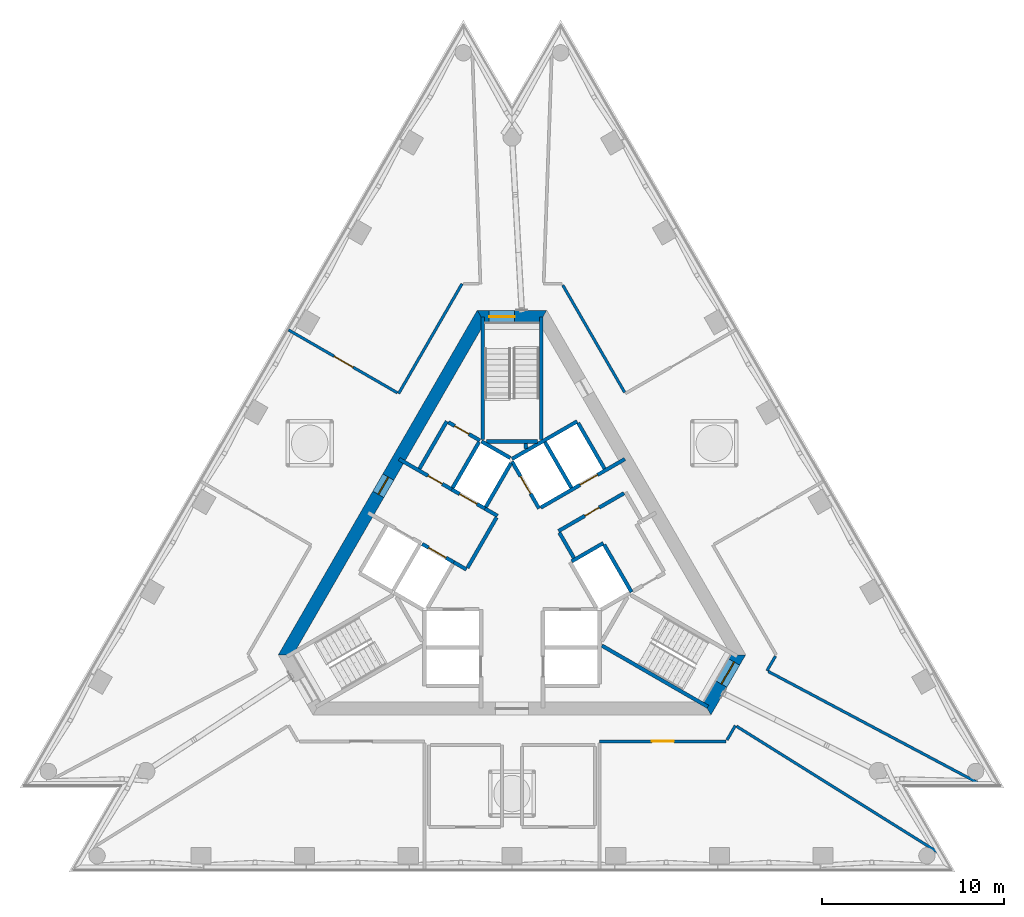
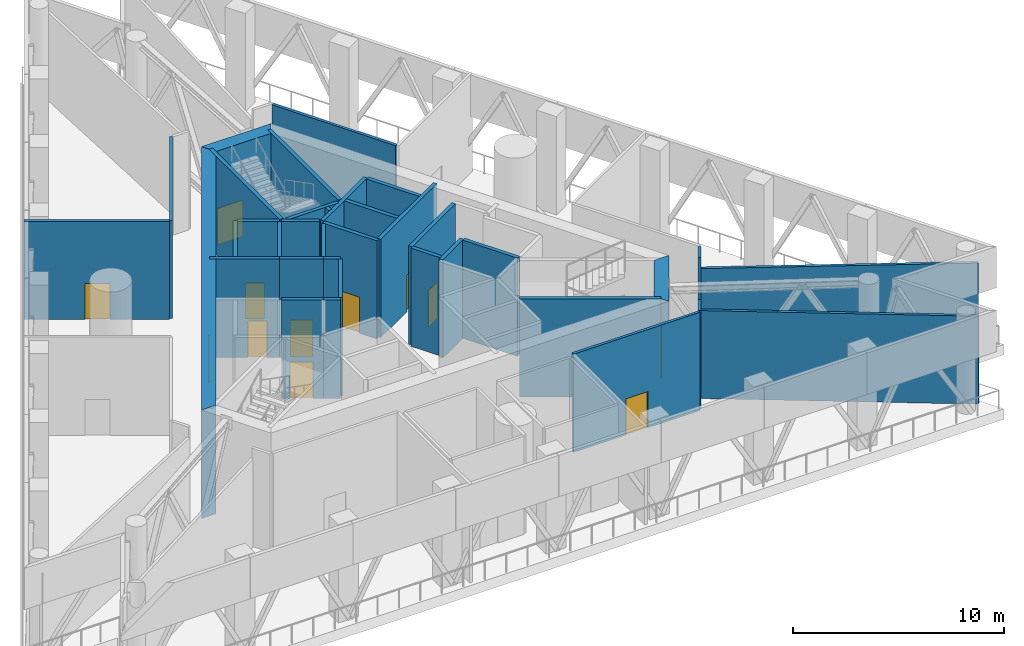
# One storey, part 9 of 15: 36 walls, 12 doors, 12 openings.
"""IFC4 building model written with IfcOpenShell, lengths in metres."""

from ifc_helpers import new_model, si_unit, direction, frame, frame_2d, origin, place, context, subcontext, project, spatial, polyline, rectangle, outline, extrude, material, layer, layer_set, type_object, element, fill, save


model = new_model("IFC4")

# Units and contexts
model_context = context("Model", 3, precision=1e-05, world=origin(), true_north=direction((0.0, 1.0)))
body_context = subcontext(model_context, "Body", "Model", "MODEL_VIEW")
ifc_project = project(units=[si_unit("LENGTHUNIT", "METRE"), si_unit("AREAUNIT", "SQUARE_METRE"), si_unit("VOLUMEUNIT", "CUBIC_METRE"), si_unit("PLANEANGLEUNIT", "RADIAN"), si_unit("MASSUNIT", "GRAM", prefix="KILO")], contexts=[model_context])

# Site, building, storey
site_placement = place(None, origin())
site = spatial("IfcSite", under=ifc_project, at=site_placement, CompositionType="ELEMENT")
building_placement = place(site_placement, origin())
building = spatial("IfcBuilding", under=site, at=building_placement, Name="Triada Interchange Tower", CompositionType="ELEMENT")
storey_placement = place(building_placement, frame((0.0, 0.0, 255.800048828125)))
storey = spatial("IfcBuildingStorey", under=building, at=storey_placement, Name="L60", CompositionType="ELEMENT", Elevation=255.800048828125)

# Wall
ifc_material_1 = material(Name="Concrete C30/37", Category="concrete")
ifc_layer_1 = layer(ifc_material_1, 0.199951171875)
ifc_layer_set_1 = layer_set([ifc_layer_1], Name="CORE WALL 200 EI 120")
wall_type_1 = type_object("IfcWallType", Name="CORE WALL 200 EI 120", PredefinedType="SOLIDWALL", material=ifc_layer_set_1)
wall_1_placement = place(storey_placement, frame((-0.001953125, 5.541015625, 0.0), z_axis=(0.0, 0.0, 1.0), x_axis=(0.86600155993, 0.500041296494, 0.0)))
element("IfcWall", 1, at=wall_1_placement, inside=storey, type_object=wall_type_1, Name="Wall L60 43", PredefinedType="SOLIDWALL", context=body_context, shape_type="SweptSolid", body=[
    extrude(rectangle(XDim=4.131591796875, YDim=0.199951171875, at=frame_2d((2.06591796875, 0.0))), origin(), (0.0, 0.0, 1.0), 5.699951171875),
])

# Wall, opening, door
wall_2_placement = place(storey_placement, frame((0.0, 5.39990234375, 0.0), z_axis=(0.0, 0.0, 1.0), x_axis=(0.500103862429, -0.865965430478, 0.0)))
wall_2 = element("IfcWall", 2, at=wall_2_placement, inside=storey, type_object=wall_type_1, Name="Wall L60 44", PredefinedType="SOLIDWALL", context=body_context, shape_type="SweptSolid", body=[
    extrude(rectangle(XDim=2.973388671875, YDim=0.199951171875, at=frame_2d((1.48681640625, 0.0))), origin(), (0.0, 0.0, 1.0), 5.699951171875),
])
opening_1_placement = place(wall_2_placement, frame((0.93701171875, 0.0, 0.0)))
opening_1 = element("IfcOpeningElement", 3, at=opening_1_placement, cuts=wall_2, Name="Opening LD-HR5", PredefinedType="OPENING", context=body_context, shape_type="SweptSolid", body=[
    extrude(rectangle(XDim=1.10009765625, YDim=2.10009765625, at=frame_2d((0.550048828125, 1.050048828125))), frame((0.0, 0.10986328125, 0.0), z_axis=(0.0, -1.0, 0.0), x_axis=(1.0, 0.0, 0.0)), (0.0, 0.0, 1.0), 0.219970703125),
])
ifc_material_2 = material(Name="Steel S235 door leaf", Category="steel")
door_type_1 = type_object("IfcDoorType", Name="LIFT LANDING DOOR 1100 EI 120", OperationType="SLIDING_TO_LEFT", PredefinedType="DOOR", material=ifc_material_2)
door_1_placement = place(opening_1_placement, origin())
door_1 = element("IfcDoor", 4, at=door_1_placement, inside=storey, type_object=door_type_1, Name="HR5 landing door L60", OperationType="SLIDING_TO_LEFT", OverallHeight=2.10009765625, OverallWidth=1.10009765625, PredefinedType="DOOR", context=body_context, shape_type="SweptSolid", body=[
    extrude(rectangle(XDim=1.10009765625, YDim=2.10009765625, at=frame_2d((0.550048828125, 1.050048828125))), frame((0.0, 0.02490234375, 0.0), z_axis=(0.0, -1.0, 0.0), x_axis=(1.0, 0.0, 0.0)), (0.0, 0.0, 1.0), 0.050048828125),
])
fill(opening_1, door_1)

wall_3_placement = place(storey_placement, frame((1.577880859375, 2.8740234375, 0.0), z_axis=(0.0, 0.0, 1.0), x_axis=(0.866045911672, 0.499964477614, 0.0)))
wall_3 = element("IfcWall", 5, at=wall_3_placement, inside=storey, type_object=wall_type_1, Name="Wall L60 46", PredefinedType="SOLIDWALL", context=body_context, shape_type="SweptSolid", body=[
    extrude(rectangle(XDim=5.32666015625, YDim=0.199951171875, at=frame_2d((2.663330078125, 0.0))), origin(), (0.0, 0.0, 1.0), 5.699951171875),
])
opening_2_placement = place(wall_3_placement, frame((2.49609375, 0.0, 0.0)))
opening_2 = element("IfcOpeningElement", 6, at=opening_2_placement, cuts=wall_3, Name="Opening LD-HR6", PredefinedType="OPENING", context=body_context, shape_type="SweptSolid", body=[
    extrude(rectangle(XDim=1.10009765625, YDim=2.10009765625, at=frame_2d((0.550048828125, 1.050048828125))), frame((0.0, 0.10986328125, 0.0), z_axis=(0.0, -1.0, 0.0), x_axis=(1.0, 0.0, 0.0)), (0.0, 0.0, 1.0), 0.219970703125),
])
door_2_placement = place(opening_2_placement, origin())
door_2 = element("IfcDoor", 7, at=door_2_placement, inside=storey, type_object=door_type_1, Name="HR6 landing door L60", OperationType="SLIDING_TO_LEFT", OverallHeight=2.10009765625, OverallWidth=1.10009765625, PredefinedType="DOOR", context=body_context, shape_type="SweptSolid", body=[
    extrude(rectangle(XDim=1.10009765625, YDim=2.10009765625, at=frame_2d((0.550048828125, 1.050048828125))), frame((0.0, 0.02490234375, 0.0), z_axis=(0.0, -1.0, 0.0), x_axis=(1.0, 0.0, 0.0)), (0.0, 0.0, 1.0), 0.050048828125),
])
fill(opening_2, door_2)

# Walls
wall_4_placement = place(storey_placement, frame((3.278076171875, -0.071044921875, 0.0), z_axis=(0.0, 0.0, 1.0), x_axis=(0.865855657918, 0.500293893279, 0.0)))
element("IfcWall", 8, at=wall_4_placement, inside=storey, type_object=wall_type_1, Name="Wall L60 49", PredefinedType="SOLIDWALL", context=body_context, shape_type="SweptSolid", body=[
    extrude(rectangle(XDim=1.996826171875, YDim=0.199951171875, at=frame_2d((0.99853515625, 0.0))), origin(), (0.0, 0.0, 1.0), 5.699951171875),
])
for number, where, z_axis, x_axis, name in (
    (9, (3.6259765625, 7.52001953125, 0.0), (0.0, 0.0, 1.0), (0.500060147554, -0.865990674793, 0.0), "Wall L60 51"),
    (10, (1.806884765625, 6.469970703125, 0.0), (0.0, 0.0, 1.0), (0.50012328804, -0.865954211699, 0.0), "Wall L60 52"),
):
    element("IfcWall", number, at=place(storey_placement, frame(where, z_axis=z_axis, x_axis=x_axis)), inside=storey, type_object=wall_type_1, Name=name, PredefinedType="SOLIDWALL", context=body_context, shape_type="SweptSolid", body=[
        extrude(rectangle(XDim=2.899658203125, YDim=0.199951171875, at=frame_2d((1.44970703125, 0.0))), origin(), (0.0, 0.0, 1.0), 5.699951171875),
    ])
wall_5_placement = place(storey_placement, frame((5.056884765625, 0.841064453125, 0.0), z_axis=(0.0, 0.0, 1.0), x_axis=(0.499990139034, -0.866031096941, 0.0)))
element("IfcWall", 11, at=wall_5_placement, inside=storey, type_object=wall_type_1, Name="Wall L60 53", PredefinedType="SOLIDWALL", context=body_context, shape_type="SweptSolid", body=[
    extrude(rectangle(XDim=3.0, YDim=0.199951171875, at=frame_2d((1.5, 0.0))), origin(), (0.0, 0.0, 1.0), 5.699951171875),
])

# Wall, opening, door
wall_6_placement = place(storey_placement, frame((2.548095703125, 1.5869140625, 0.0), z_axis=(0.0, 0.0, 1.0), x_axis=(0.866004344652, 0.500036473714, 0.0)))
wall_6 = element("IfcWall", 12, at=wall_6_placement, inside=storey, type_object=wall_type_1, Name="Wall L60 56", PredefinedType="SOLIDWALL", context=body_context, shape_type="SweptSolid", body=[
    extrude(rectangle(XDim=4.150146484375, YDim=0.199951171875, at=frame_2d((2.0751953125, 0.0))), origin(), (0.0, 0.0, 1.0), 5.699951171875),
])
opening_3_placement = place(wall_6_placement, frame((1.675048828125, 0.0, 0.0)))
opening_3 = element("IfcOpeningElement", 13, at=opening_3_placement, cuts=wall_6, Name="Opening D60-27", PredefinedType="OPENING", context=body_context, shape_type="SweptSolid", body=[
    extrude(rectangle(XDim=0.89990234375, YDim=2.10009765625, at=frame_2d((0.449951171875, 1.050048828125))), frame((0.0, 0.10986328125, 0.0), z_axis=(0.0, -1.0, 0.0), x_axis=(1.0, 0.0, 0.0)), (0.0, 0.0, 1.0), 0.219970703125),
])
door_type_2 = type_object("IfcDoorType", Name="SERVICE DOOR 900 EI2 45-C5S200", OperationType="NOTDEFINED", PredefinedType="DOOR", material=ifc_material_2)
door_3_placement = place(opening_3_placement, origin())
door_3 = element("IfcDoor", 14, at=door_3_placement, inside=storey, type_object=door_type_2, Name="Door D60-27 L60", OperationType="SINGLE_SWING_RIGHT", OverallHeight=2.10009765625, OverallWidth=0.89990234375, PredefinedType="DOOR", context=body_context, shape_type="SweptSolid", body=[
    extrude(rectangle(XDim=0.89990234375, YDim=2.10009765625, at=frame_2d((0.449951171875, 1.050048828125))), frame((0.0, 0.02490234375, 0.0), z_axis=(0.0, -1.0, 0.0), x_axis=(1.0, 0.0, 0.0)), (0.0, 0.0, 1.0), 0.050048828125),
])
fill(opening_3, door_3)

# Walls
wall_7_placement = place(storey_placement, frame((2.597900390625, 1.5, 0.0), z_axis=(0.0, 0.0, 1.0), x_axis=(0.499929347863, -0.866066190972, 0.0)))
element("IfcWall", 15, at=wall_7_placement, inside=storey, type_object=wall_type_1, Name="Wall L60 57", PredefinedType="SOLIDWALL", context=body_context, shape_type="SweptSolid", body=[
    extrude(rectangle(XDim=1.600341796875, YDim=0.199951171875, at=frame_2d((0.80029296875, 0.0))), origin(), (0.0, 0.0, 1.0), 5.699951171875),
])
ifc_layer_2 = layer(ifc_material_1, 0.199951171875)
ifc_layer_set_2 = layer_set([ifc_layer_2], Name="CORE WALL 200 EI 180")
wall_type_2 = type_object("IfcWallType", Name="CORE WALL 200 EI 180", PredefinedType="SOLIDWALL", material=ifc_layer_set_2)
wall_8_placement = place(storey_placement, frame((-3.18798828125, -0.1220703125, 0.0), z_axis=(0.0, 0.0, 1.0), x_axis=(0.865705793592, -0.50055317294, 0.0)))
element("IfcWall", 16, at=wall_8_placement, inside=storey, type_object=wall_type_2, Name="Wall L60 59", PredefinedType="SOLIDWALL", context=body_context, shape_type="SweptSolid", body=[
    extrude(rectangle(XDim=0.796875, YDim=0.199951171875, at=frame_2d((0.3984375, 0.0))), origin(), (0.0, 0.0, 1.0), 5.699951171875),
])

# Wall, opening, door
wall_9_placement = place(storey_placement, frame((-6.19091796875, 5.537109375, 0.0), z_axis=(0.0, 0.0, 1.0), x_axis=(0.866052607023, -0.499952879648, 0.0)))
wall_9 = element("IfcWall", 17, at=wall_9_placement, inside=storey, type_object=wall_type_2, Name="Wall L60 60", PredefinedType="SOLIDWALL", context=body_context, shape_type="SweptSolid", body=[
    extrude(rectangle(XDim=3.332275390625, YDim=0.199951171875, at=frame_2d((1.666015625, 0.0))), origin(), (0.0, 0.0, 1.0), 5.699951171875),
])
opening_4_placement = place(wall_9_placement, frame((1.830078125, 0.0, 0.0)))
opening_4 = element("IfcOpeningElement", 18, at=opening_4_placement, cuts=wall_9, Name="Opening D60-10", PredefinedType="OPENING", context=body_context, shape_type="SweptSolid", body=[
    extrude(rectangle(XDim=0.89990234375, YDim=2.10009765625, at=frame_2d((0.449951171875, 1.050048828125))), frame((0.0, 0.10986328125, 0.0), z_axis=(0.0, -1.0, 0.0), x_axis=(1.0, 0.0, 0.0)), (0.0, 0.0, 1.0), 0.219970703125),
])
door_type_3 = type_object("IfcDoorType", Name="SERVICE DOOR 900 EI2 90-C5S200", OperationType="NOTDEFINED", PredefinedType="DOOR", material=ifc_material_2)
door_4_placement = place(opening_4_placement, origin())
door_4 = element("IfcDoor", 19, at=door_4_placement, inside=storey, type_object=door_type_3, Name="Door D60-10 L60", OperationType="SINGLE_SWING_LEFT", OverallHeight=2.10009765625, OverallWidth=0.89990234375, PredefinedType="DOOR", context=body_context, shape_type="SweptSolid", body=[
    extrude(rectangle(XDim=0.89990234375, YDim=2.10009765625, at=frame_2d((0.449951171875, 1.050048828125))), frame((0.0, 0.02490234375, 0.0), z_axis=(0.0, -1.0, 0.0), x_axis=(1.0, 0.0, 0.0)), (0.0, 0.0, 1.0), 0.050048828125),
])
fill(opening_4, door_4)

# Walls
wall_10_placement = place(storey_placement, frame((-1.488037109375, 2.822021484375, 0.0), z_axis=(0.0, 0.0, 1.0), x_axis=(0.866236612152, -0.499633997809, 0.0)))
element("IfcWall", 20, at=wall_10_placement, inside=storey, type_object=wall_type_2, Name="Wall L60 61", PredefinedType="SOLIDWALL", context=body_context, shape_type="SweptSolid", body=[
    extrude(rectangle(XDim=0.79638671875, YDim=0.199951171875, at=frame_2d((0.398193359375, 0.0))), origin(), (0.0, 0.0, 1.0), 5.699951171875),
])
wall_11_placement = place(storey_placement, frame((-5.075927734375, 5.009033203125, 0.0), z_axis=(0.0, 0.0, 1.0), x_axis=(0.50002537861, 0.866010750942, 0.0)))
element("IfcWall", 21, at=wall_11_placement, inside=storey, type_object=wall_type_2, Name="Wall L60 62", PredefinedType="SOLIDWALL", context=body_context, shape_type="SweptSolid", body=[
    extrude(rectangle(XDim=2.999755859375, YDim=0.199951171875, at=frame_2d((1.5, 0.0))), origin(), (0.0, 0.0, 1.0), 5.699951171875),
])

# Wall, opening, door
wall_12_placement = place(storey_placement, frame((-3.489013671875, 7.556884765625, 0.0), z_axis=(0.0, 0.0, 1.0), x_axis=(0.866010750942, -0.50002537861, 0.0)))
wall_12 = element("IfcWall", 22, at=wall_12_placement, inside=storey, type_object=wall_type_2, Name="Wall L60 63", PredefinedType="SOLIDWALL", context=body_context, shape_type="SweptSolid", body=[
    extrude(rectangle(XDim=2.0, YDim=0.199951171875, at=frame_2d((1.0, 0.0))), origin(), (0.0, 0.0, 1.0), 5.699951171875),
])
opening_5_placement = place(wall_12_placement, frame((0.40087890625, 0.0, 0.0)))
opening_5 = element("IfcOpeningElement", 23, at=opening_5_placement, cuts=wall_12, Name="Opening D60-25", PredefinedType="OPENING", context=body_context, shape_type="SweptSolid", body=[
    extrude(rectangle(XDim=0.89990234375, YDim=2.10009765625, at=frame_2d((0.449951171875, 1.050048828125))), frame((0.0, 0.10986328125, 0.0), z_axis=(0.0, -1.0, 0.0), x_axis=(1.0, 0.0, 0.0)), (0.0, 0.0, 1.0), 0.219970703125),
])
door_5_placement = place(opening_5_placement, origin())
door_5 = element("IfcDoor", 24, at=door_5_placement, inside=storey, type_object=door_type_2, Name="Door D60-25 L60", OperationType="SINGLE_SWING_LEFT", OverallHeight=2.10009765625, OverallWidth=0.89990234375, PredefinedType="DOOR", context=body_context, shape_type="SweptSolid", body=[
    extrude(rectangle(XDim=0.89990234375, YDim=2.10009765625, at=frame_2d((0.449951171875, 1.050048828125))), frame((0.0, 0.02490234375, 0.0), z_axis=(0.0, -1.0, 0.0), x_axis=(1.0, 0.0, 0.0)), (0.0, 0.0, 1.0), 0.050048828125),
])
fill(opening_5, door_5)

# Wall
wall_13_placement = place(storey_placement, frame((-2.444091796875, -0.43310546875, 0.0), z_axis=(0.0, 0.0, 1.0), x_axis=(0.500035624827, 0.866004834804, 0.0)))
element("IfcWall", 25, at=wall_13_placement, inside=storey, type_object=wall_type_2, Name="Wall L60 64", PredefinedType="SOLIDWALL", context=body_context, shape_type="SweptSolid", body=[
    extrude(rectangle(XDim=3.194091796875, YDim=0.199951171875, at=frame_2d((1.59716796875, 0.0))), origin(), (0.0, 0.0, 1.0), 5.699951171875),
])

# Wall, opening, door
wall_14_placement = place(storey_placement, frame((-4.922119140625, 0.87890625, 0.0), z_axis=(0.0, 0.0, 1.0), x_axis=(0.866073918653, -0.499915960366, 0.0)))
wall_14 = element("IfcWall", 26, at=wall_14_placement, inside=storey, type_object=wall_type_2, Name="Shaft wall FF1 L60 67", PredefinedType="SOLIDWALL", context=body_context, shape_type="SweptSolid", body=[
    extrude(rectangle(XDim=2.002197265625, YDim=0.199951171875, at=frame_2d((1.0009765625, 0.0))), origin(), (0.0, 0.0, 1.0), 5.699951171875),
])
opening_6_placement = place(wall_14_placement, frame((0.402099609375, 0.0, 0.0)))
opening_6 = element("IfcOpeningElement", 27, at=opening_6_placement, cuts=wall_14, Name="Opening LD-FF1", PredefinedType="OPENING", context=body_context, shape_type="SweptSolid", body=[
    extrude(rectangle(XDim=1.10009765625, YDim=2.10009765625, at=frame_2d((0.550048828125, 1.050048828125))), frame((0.0, 0.10986328125, 0.0), z_axis=(0.0, -1.0, 0.0), x_axis=(1.0, 0.0, 0.0)), (0.0, 0.0, 1.0), 0.219970703125),
])
door_6_placement = place(opening_6_placement, origin())
door_6 = element("IfcDoor", 28, at=door_6_placement, inside=storey, type_object=door_type_1, Name="FF1 landing door L60", OperationType="SLIDING_TO_LEFT", OverallHeight=2.10009765625, OverallWidth=1.10009765625, PredefinedType="DOOR", context=body_context, shape_type="SweptSolid", body=[
    extrude(rectangle(XDim=1.10009765625, YDim=2.10009765625, at=frame_2d((0.550048828125, 1.050048828125))), frame((0.0, 0.02490234375, 0.0), z_axis=(0.0, -1.0, 0.0), x_axis=(1.0, 0.0, 0.0)), (0.0, 0.0, 1.0), 0.050048828125),
])
fill(opening_6, door_6)

wall_15_placement = place(storey_placement, frame((-3.30908203125, 3.873046875, 0.0), z_axis=(0.0, 0.0, 1.0), x_axis=(0.866098583652, -0.499873227325, 0.0)))
wall_15 = element("IfcWall", 29, at=wall_15_placement, inside=storey, type_object=wall_type_2, Name="Shaft wall FF2 L60 69", PredefinedType="SOLIDWALL", context=body_context, shape_type="SweptSolid", body=[
    extrude(rectangle(XDim=2.1025390625, YDim=0.199951171875, at=frame_2d((1.05126953125, 0.0))), origin(), (0.0, 0.0, 1.0), 5.699951171875),
])
opening_7_placement = place(wall_15_placement, frame((0.501953125, 0.0, 0.0)))
opening_7 = element("IfcOpeningElement", 30, at=opening_7_placement, cuts=wall_15, Name="Opening LD-FF2", PredefinedType="OPENING", context=body_context, shape_type="SweptSolid", body=[
    extrude(rectangle(XDim=1.10009765625, YDim=2.10009765625, at=frame_2d((0.550048828125, 1.050048828125))), frame((0.0, 0.10986328125, 0.0), z_axis=(0.0, -1.0, 0.0), x_axis=(1.0, 0.0, 0.0)), (0.0, 0.0, 1.0), 0.219970703125),
])
door_7_placement = place(opening_7_placement, origin())
door_7 = element("IfcDoor", 31, at=door_7_placement, inside=storey, type_object=door_type_1, Name="FF2 landing door L60", OperationType="SLIDING_TO_LEFT", OverallHeight=2.10009765625, OverallWidth=1.10009765625, PredefinedType="DOOR", context=body_context, shape_type="SweptSolid", body=[
    extrude(rectangle(XDim=1.10009765625, YDim=2.10009765625, at=frame_2d((0.550048828125, 1.050048828125))), frame((0.0, 0.02490234375, 0.0), z_axis=(0.0, -1.0, 0.0), x_axis=(1.0, 0.0, 0.0)), (0.0, 0.0, 1.0), 0.050048828125),
])
fill(opening_7, door_7)

# Walls
wall_16_placement = place(storey_placement, frame((-3.257080078125, 3.958984375, 0.0), z_axis=(0.0, 0.0, 1.0), x_axis=(0.50012328804, 0.865954211699, 0.0)))
element("IfcWall", 32, at=wall_16_placement, inside=storey, type_object=wall_type_2, Name="Shaft wall FF2 L60 70", PredefinedType="SOLIDWALL", context=body_context, shape_type="SweptSolid", body=[
    extrude(rectangle(XDim=2.899658203125, YDim=0.199951171875, at=frame_2d((1.44970703125, 0.0))), origin(), (0.0, 0.0, 1.0), 5.699951171875),
])
wall_17_placement = place(storey_placement, frame((-1.669921875, 6.507080078125, 0.0), z_axis=(0.0, 0.0, 1.0), x_axis=(0.865941441609, -0.500145398563, 0.0)))
element("IfcWall", 33, at=wall_17_placement, inside=storey, type_object=wall_type_2, Name="Shaft wall FF2 L60 71", PredefinedType="SOLIDWALL", context=body_context, shape_type="SweptSolid", body=[
    extrude(rectangle(XDim=1.8154296875, YDim=0.199951171875, at=frame_2d((0.90771484375, 0.0))), origin(), (0.0, 0.0, 1.0), 5.699951171875),
])
wall_18_placement = place(storey_placement, frame((-1.43798828125, 2.908935546875, 0.0), z_axis=(0.0, 0.0, 1.0), x_axis=(0.499829630636, 0.866123744241, 0.0)))
element("IfcWall", 34, at=wall_18_placement, inside=storey, type_object=wall_type_2, Name="Shaft wall FF2 L60 72", PredefinedType="SOLIDWALL", context=body_context, shape_type="SweptSolid", body=[
    extrude(rectangle(XDim=2.7607421875, YDim=0.199951171875, at=frame_2d((1.38037109375, 0.0))), origin(), (0.0, 0.0, 1.0), 5.699951171875),
])
ifc_layer_3 = layer(ifc_material_1, 0.199951171875)
ifc_layer_set_3 = layer_set([ifc_layer_3], Name="CORE WALL 200 EI 90")
wall_type_3 = type_object("IfcWallType", Name="CORE WALL 200 EI 90", PredefinedType="SOLIDWALL", material=ifc_layer_set_3)
wall_19_placement = place(storey_placement, frame((0.75, 6.39990234375, 0.0), z_axis=(0.0, 0.0, 1.0), x_axis=(0.080860177601, -0.996725454515, 0.0)))
element("IfcWall", 35, at=wall_19_placement, inside=storey, type_object=wall_type_3, Name="Wall L60 73", PredefinedType="SOLIDWALL", context=body_context, shape_type="SweptSolid", body=[
    extrude(rectangle(XDim=0.2958984375, YDim=0.199951171875, at=frame_2d((0.14794921875, 0.0))), origin(), (0.0, 0.0, 1.0), 5.699951171875),
])
ifc_layer_4 = layer(ifc_material_1, 0.199951171875)
ifc_layer_set_4 = layer_set([ifc_layer_4], Name="CORE WALL 200 REI 240")
wall_type_4 = type_object("IfcWallType", Name="CORE WALL 200 REI 240", PredefinedType="SOLIDWALL", material=ifc_layer_set_4)
wall_20_placement = place(storey_placement, frame((1.60009765625, 6.614990234375, 0.0), z_axis=(0.0, 0.0, 1.0), x_axis=(0.0, 1.0, 0.0)))
element("IfcWall", 36, at=wall_20_placement, inside=storey, type_object=wall_type_4, Name="Wall L60 80", PredefinedType="SOLIDWALL", context=body_context, shape_type="SweptSolid", body=[
    extrude(rectangle(XDim=6.715087890625, YDim=0.199951171875, at=frame_2d((3.357421875, 0.0))), origin(), (0.0, 0.0, 1.0), 5.699951171875),
])
wall_21_placement = place(storey_placement, frame((-1.39990234375, 6.5, 0.0), z_axis=(0.0, 0.0, 1.0), x_axis=(1.0, 0.0, 0.0)))
element("IfcWall", 37, at=wall_21_placement, inside=storey, type_object=wall_type_4, Name="Wall L60 81", PredefinedType="SOLIDWALL", context=body_context, shape_type="SweptSolid", body=[
    extrude(rectangle(XDim=2.7998046875, YDim=0.199951171875, at=frame_2d((1.39990234375, 0.0))), origin(), (0.0, 0.0, 1.0), 5.699951171875),
])
wall_22_placement = place(storey_placement, frame((-1.60009765625, 6.614990234375, 0.0), z_axis=(0.0, 0.0, 1.0), x_axis=(0.0, 1.0, 0.0)))
element("IfcWall", 38, at=wall_22_placement, inside=storey, type_object=wall_type_4, Name="Wall L60 82", PredefinedType="SOLIDWALL", context=body_context, shape_type="SweptSolid", body=[
    extrude(rectangle(XDim=6.715087890625, YDim=0.199951171875, at=frame_2d((3.357421875, 0.0))), origin(), (0.0, 0.0, 1.0), 5.699951171875),
])
wall_23_placement = place(storey_placement, frame((4.928955078125, -4.693115234375, 0.0), z_axis=(0.0, 0.0, 1.0), x_axis=(0.865983344943, -0.500072840975, 0.0)))
element("IfcWall", 39, at=wall_23_placement, inside=storey, type_object=wall_type_4, Name="Wall L60 83", PredefinedType="SOLIDWALL", context=body_context, shape_type="SweptSolid", body=[
    extrude(rectangle(XDim=6.71484375, YDim=0.199951171875, at=frame_2d((3.357421875, 0.0))), origin(), (0.0, 0.0, 1.0), 5.699951171875),
])

# Wall, opening, door
ifc_material_3 = material(Name="Concrete C50/60", Category="concrete")
ifc_layer_5 = layer(ifc_material_3, 0.699951171875)
ifc_layer_set_5 = layer_set([ifc_layer_5], Name="Core wall C 700")
wall_type_5 = type_object("IfcWallType", Name="Core wall C 700", PredefinedType="SHEAR", material=ifc_layer_set_5)
wall_24_placement = place(storey_placement, frame((1.702880859375, 13.35009765625, -0.60009765625), z_axis=(0.0, 0.0, 1.0), x_axis=(-1.0, 0.0, 0.0)))
wall_24 = element("IfcWall", 40, at=wall_24_placement, inside=storey, type_object=wall_type_5, Name="Core wall WC07 L60", PredefinedType="SHEAR", context=body_context, shape_type="SweptSolid", body=[
    extrude(outline(polyline([(-0.201904296875, -0.35009765625), (1.703125, -0.35009765625), (3.60791015625, -0.35009765625), (3.2041015625, 0.35009765625), (1.703125, 0.35009765625), (0.201904296875, 0.35009765625), (-0.201904296875, -0.35009765625)])), origin(), (0.0, 0.0, 1.0), 6.300048828125),
])
opening_8_placement = place(wall_24_placement, frame((1.552978515625, 0.0, 0.60009765625)))
opening_8 = element("IfcOpeningElement", 41, at=opening_8_placement, cuts=wall_24, Name="Opening D60-20", PredefinedType="OPENING", context=body_context, shape_type="SweptSolid", body=[
    extrude(rectangle(XDim=1.39990234375, YDim=2.10009765625, at=frame_2d((0.699951171875, 1.050048828125))), frame((0.0, 0.360107421875, 0.0), z_axis=(0.0, -1.0, 0.0), x_axis=(1.0, 0.0, 0.0)), (0.0, 0.0, 1.0), 0.72021484375),
])
door_type_4 = type_object("IfcDoorType", Name="STAIR DOOR 1400 EI2 90-C5S200", OperationType="DOUBLE_DOOR_SINGLE_SWING", PredefinedType="DOOR", material=ifc_material_2)
door_8_placement = place(opening_8_placement, origin())
door_8 = element("IfcDoor", 42, at=door_8_placement, inside=storey, type_object=door_type_4, Name="Door D60-20 L60", OperationType="DOUBLE_DOOR_SINGLE_SWING", OverallHeight=2.10009765625, OverallWidth=1.39990234375, PredefinedType="DOOR", context=body_context, shape_type="SweptSolid", body=[
    extrude(rectangle(XDim=1.39990234375, YDim=2.10009765625, at=frame_2d((0.699951171875, 1.050048828125))), frame((0.0, 0.02490234375, 0.0), z_axis=(0.0, -1.0, 0.0), x_axis=(1.0, 0.0, 0.0)), (0.0, 0.0, 1.0), 0.050048828125),
])
fill(opening_8, door_8)

wall_25_placement = place(storey_placement, frame((-1.702880859375, 13.35009765625, -0.60009765625), z_axis=(0.0, 0.0, 1.0), x_axis=(-0.500011533395, -0.866018744874, 0.0)))
wall_25 = element("IfcWall", 43, at=wall_25_placement, inside=storey, type_object=wall_type_5, Name="Core wall WC08 L60", PredefinedType="SHEAR", context=body_context, shape_type="SweptSolid", body=[
    extrude(outline(polyline([(-0.201904296875, -0.35009765625), (1.781982421875, -0.35009765625), (3.76611328125, -0.35009765625), (5.75, -0.35009765625), (7.734130859375, -0.35009765625), (9.718017578125, -0.35009765625), (11.7021484375, -0.35009765625), (13.68603515625, -0.35009765625), (15.670166015625, -0.35009765625), (17.654052734375, -0.35009765625), (19.63818359375, -0.35009765625), (21.6220703125, -0.35009765625), (21.218017578125, 0.35009765625), (19.307373046875, 0.35009765625), (17.39697265625, 0.35009765625), (15.486328125, 0.35009765625), (13.57568359375, 0.35009765625), (11.665283203125, 0.35009765625), (9.754638671875, 0.35009765625), (7.84423828125, 0.35009765625), (5.93359375, 0.35009765625), (4.02294921875, 0.35009765625), (2.112548828125, 0.35009765625), (0.201904296875, 0.35009765625), (-0.201904296875, -0.35009765625)])), origin(), (0.0, 0.0, 1.0), 6.300048828125),
])
opening_9_placement = place(wall_25_placement, frame((10.159912109375, 0.0, 0.60009765625)))
opening_9 = element("IfcOpeningElement", 44, at=opening_9_placement, cuts=wall_25, Name="Opening D60-23", PredefinedType="OPENING", context=body_context, shape_type="SweptSolid", body=[
    extrude(rectangle(XDim=1.10009765625, YDim=2.10009765625, at=frame_2d((0.550048828125, 1.050048828125))), frame((0.0, 0.360107421875, 0.0), z_axis=(0.0, -1.0, 0.0), x_axis=(1.0, 0.0, 0.0)), (0.0, 0.0, 1.0), 0.72021484375),
])
door_type_5 = type_object("IfcDoorType", Name="FIRE LOBBY DOOR 1100 EI2 90-C5S200", OperationType="NOTDEFINED", PredefinedType="DOOR", material=ifc_material_2)
door_9_placement = place(opening_9_placement, origin())
door_9 = element("IfcDoor", 45, at=door_9_placement, inside=storey, type_object=door_type_5, Name="Door D60-23 L60", OperationType="SINGLE_SWING_RIGHT", OverallHeight=2.10009765625, OverallWidth=1.10009765625, PredefinedType="DOOR", context=body_context, shape_type="SweptSolid", body=[
    extrude(rectangle(XDim=1.10009765625, YDim=2.10009765625, at=frame_2d((0.550048828125, 1.050048828125))), frame((0.0, 0.02490234375, 0.0), z_axis=(0.0, -1.0, 0.0), x_axis=(1.0, 0.0, 0.0)), (0.0, 0.0, 1.0), 0.050048828125),
])
fill(opening_9, door_9)

wall_26_placement = place(storey_placement, frame((10.7099609375, -8.14990234375, -0.60009765625), z_axis=(0.0, 0.0, 1.0), x_axis=(0.49999337185, 0.866029230515, 0.0)))
wall_26 = element("IfcWall", 46, at=wall_26_placement, inside=storey, type_object=wall_type_5, Name="Core wall WC11 L60", PredefinedType="SHEAR", context=body_context, shape_type="SweptSolid", body=[
    extrude(outline(polyline([(-0.201904296875, -0.35009765625), (1.703125, -0.35009765625), (3.60791015625, -0.35009765625), (3.2041015625, 0.35009765625), (1.703125, 0.35009765625), (0.201904296875, 0.35009765625), (-0.201904296875, -0.35009765625)])), origin(), (0.0, 0.0, 1.0), 6.300048828125),
])
opening_10_placement = place(wall_26_placement, frame((1.552978515625, 0.0, 0.60009765625)))
opening_10 = element("IfcOpeningElement", 47, at=opening_10_placement, cuts=wall_26, Name="Opening D60-22", PredefinedType="OPENING", context=body_context, shape_type="SweptSolid", body=[
    extrude(rectangle(XDim=1.39990234375, YDim=2.10009765625, at=frame_2d((0.699951171875, 1.050048828125))), frame((0.0, 0.360107421875, 0.0), z_axis=(0.0, -1.0, 0.0), x_axis=(1.0, 0.0, 0.0)), (0.0, 0.0, 1.0), 0.72021484375),
])
door_10_placement = place(opening_10_placement, origin())
door_10 = element("IfcDoor", 48, at=door_10_placement, inside=storey, type_object=door_type_4, Name="Door D60-22 L60", OperationType="DOUBLE_DOOR_SINGLE_SWING", OverallHeight=2.10009765625, OverallWidth=1.39990234375, PredefinedType="DOOR", context=body_context, shape_type="SweptSolid", body=[
    extrude(rectangle(XDim=1.39990234375, YDim=2.10009765625, at=frame_2d((0.699951171875, 1.050048828125))), frame((0.0, 0.02490234375, 0.0), z_axis=(0.0, -1.0, 0.0), x_axis=(1.0, 0.0, 0.0)), (0.0, 0.0, 1.0), 0.050048828125),
])
fill(opening_10, door_10)

# Wall
ifc_material_4 = material(Name="Gypsum board partition")
ifc_layer_6 = layer(ifc_material_4, 0.14990234375)
ifc_layer_set_6 = layer_set([ifc_layer_6], Name="PARTITION 150 EI 180")
wall_type_6 = type_object("IfcWallType", Name="PARTITION 150 EI 180", PredefinedType="PARTITIONING", material=ifc_layer_set_6)
wall_27_placement = place(storey_placement, frame((-6.217041015625, 9.132080078125, 0.0), z_axis=(0.0, 0.0, 1.0), x_axis=(0.500076232498, 0.865981386458, 0.0)))
element("IfcWall", 49, at=wall_27_placement, inside=storey, type_object=wall_type_6, Name="Wall L60 3", PredefinedType="PARTITIONING", context=body_context, shape_type="SweptSolid", body=[
    extrude(rectangle(XDim=6.94921875, YDim=0.14990234375, at=frame_2d((3.474609375, 0.0))), origin(), (0.0, 0.0, 1.0), 5.699951171875),
])

# Wall, opening, door
wall_28_placement = place(storey_placement, frame((4.800048828125, -9.949951171875, 0.0), z_axis=(0.0, 0.0, 1.0), x_axis=(1.0, 0.0, 0.0)))
wall_28 = element("IfcWall", 50, at=wall_28_placement, inside=storey, type_object=wall_type_6, Name="Wall L60 9", PredefinedType="PARTITIONING", context=body_context, shape_type="SweptSolid", body=[
    extrude(rectangle(XDim=6.948974609375, YDim=0.14990234375, at=frame_2d((3.474609375, 0.0))), origin(), (0.0, 0.0, 1.0), 5.699951171875),
])
opening_11_placement = place(wall_28_placement, frame((2.875, 0.0, 0.0)))
opening_11 = element("IfcOpeningElement", 51, at=opening_11_placement, cuts=wall_28, Name="Opening D60-15", PredefinedType="OPENING", context=body_context, shape_type="SweptSolid", body=[
    extrude(rectangle(XDim=1.199951171875, YDim=2.10009765625, at=frame_2d((0.60009765625, 1.050048828125))), frame((0.0, 0.0849609375, 0.0), z_axis=(0.0, -1.0, 0.0), x_axis=(1.0, 0.0, 0.0)), (0.0, 0.0, 1.0), 0.169921875),
])
door_type_6 = type_object("IfcDoorType", Name="DOUBLE ROOM DOOR 1200 EI2 45-C5S200", OperationType="DOUBLE_DOOR_SINGLE_SWING", PredefinedType="DOOR", material=ifc_material_2)
door_11_placement = place(opening_11_placement, origin())
door_11 = element("IfcDoor", 52, at=door_11_placement, inside=storey, type_object=door_type_6, Name="Door D60-15 L60", OperationType="DOUBLE_DOOR_SINGLE_SWING", OverallHeight=2.10009765625, OverallWidth=1.199951171875, PredefinedType="DOOR", context=body_context, shape_type="SweptSolid", body=[
    extrude(rectangle(XDim=1.199951171875, YDim=2.10009765625, at=frame_2d((0.60009765625, 1.050048828125))), frame((0.0, 0.02490234375, 0.0), z_axis=(0.0, -1.0, 0.0), x_axis=(1.0, 0.0, 0.0)), (0.0, 0.0, 1.0), 0.050048828125),
])
fill(opening_11, door_11)

wall_29_placement = place(storey_placement, frame((-12.2548828125, 12.617919921875, 0.0), z_axis=(0.0, 0.0, 1.0), x_axis=(0.866054133163, -0.499950235956, 0.0)))
wall_29 = element("IfcWall", 53, at=wall_29_placement, inside=storey, type_object=wall_type_6, Name="Wall L60 14", PredefinedType="PARTITIONING", context=body_context, shape_type="SweptSolid", body=[
    extrude(rectangle(XDim=6.896728515625, YDim=0.14990234375, at=frame_2d((3.4482421875, 0.0))), origin(), (0.0, 0.0, 1.0), 5.699951171875),
])
opening_12_placement = place(wall_29_placement, frame((2.885986328125, 0.0, 0.0)))
opening_12 = element("IfcOpeningElement", 54, at=opening_12_placement, cuts=wall_29, Name="Opening D60-17", PredefinedType="OPENING", context=body_context, shape_type="SweptSolid", body=[
    extrude(rectangle(XDim=1.199951171875, YDim=2.10009765625, at=frame_2d((0.60009765625, 1.050048828125))), frame((0.0, 0.0849609375, 0.0), z_axis=(0.0, -1.0, 0.0), x_axis=(1.0, 0.0, 0.0)), (0.0, 0.0, 1.0), 0.169921875),
])
door_12_placement = place(opening_12_placement, origin())
door_12 = element("IfcDoor", 55, at=door_12_placement, inside=storey, type_object=door_type_6, Name="Door D60-17 L60", OperationType="DOUBLE_DOOR_SINGLE_SWING", OverallHeight=2.10009765625, OverallWidth=1.199951171875, PredefinedType="DOOR", context=body_context, shape_type="SweptSolid", body=[
    extrude(rectangle(XDim=1.199951171875, YDim=2.10009765625, at=frame_2d((0.60009765625, 1.050048828125))), frame((0.0, 0.02490234375, 0.0), z_axis=(0.0, -1.0, 0.0), x_axis=(1.0, 0.0, 0.0)), (0.0, 0.0, 1.0), 0.050048828125),
])
fill(opening_12, door_12)

# Walls
wall_30_placement = place(storey_placement, frame((2.785888671875, 15.074951171875, 0.0), z_axis=(0.0, 0.0, 1.0), x_axis=(0.499938349595, -0.866060994737, 0.0)))
element("IfcWall", 56, at=wall_30_placement, inside=storey, type_object=wall_type_6, Name="Wall L60 16", PredefinedType="PARTITIONING", context=body_context, shape_type="SweptSolid", body=[
    extrude(rectangle(XDim=6.786865234375, YDim=0.14990234375, at=frame_2d((3.3935546875, 0.0))), origin(), (0.0, 0.0, 1.0), 5.699951171875),
])
wall_31_placement = place(storey_placement, frame((11.7919921875, -9.875, 0.0), z_axis=(0.0, 0.0, 1.0), x_axis=(0.500366091518, 0.865813937552, 0.0)))
element("IfcWall", 57, at=wall_31_placement, inside=storey, type_object=wall_type_6, Name="Wall L60 20", PredefinedType="PARTITIONING", context=body_context, shape_type="SweptSolid", body=[
    extrude(rectangle(XDim=0.919189453125, YDim=0.14990234375, at=frame_2d((0.45947265625, 0.0))), origin(), (0.0, 0.0, 1.0), 5.699951171875),
])
wall_32_placement = place(storey_placement, frame((13.986083984375, -6.074951171875, 0.0), z_axis=(0.0, 0.0, 1.0), x_axis=(0.500004591975, 0.86602275259, 0.0)))
element("IfcWall", 58, at=wall_32_placement, inside=storey, type_object=wall_type_6, Name="Wall L60 21", PredefinedType="PARTITIONING", context=body_context, shape_type="SweptSolid", body=[
    extrude(rectangle(XDim=0.923828125, YDim=0.14990234375, at=frame_2d((0.4619140625, 0.0))), origin(), (0.0, 0.0, 1.0), 5.699951171875),
])
wall_33_placement = place(storey_placement, frame((12.31591796875, -9.118896484375, 0.0), z_axis=(0.0, 0.0, 1.0), x_axis=(0.847776956151, -0.53035293213, 0.0)))
element("IfcWall", 59, at=wall_33_placement, inside=storey, type_object=wall_type_6, Name="Wall L60 22", PredefinedType="PARTITIONING", context=body_context, shape_type="SweptSolid", body=[
    extrude(rectangle(XDim=13.202880859375, YDim=0.14990234375, at=frame_2d((6.6015625, 0.0))), origin(), (0.0, 0.0, 1.0), 5.099853515625),
])
wall_34_placement = place(storey_placement, frame((14.052978515625, -6.110107421875, 0.0), z_axis=(0.0, 0.0, 1.0), x_axis=(0.883019336408, -0.469336607916, 0.0)))
element("IfcWall", 60, at=wall_34_placement, inside=storey, type_object=wall_type_6, Name="Wall L60 23", PredefinedType="PARTITIONING", context=body_context, shape_type="SweptSolid", body=[
    extrude(rectangle(XDim=13.1865234375, YDim=0.14990234375, at=frame_2d((6.59326171875, 0.0))), origin(), (0.0, 0.0, 1.0), 5.099853515625),
])

save(model, "model.ifc")
